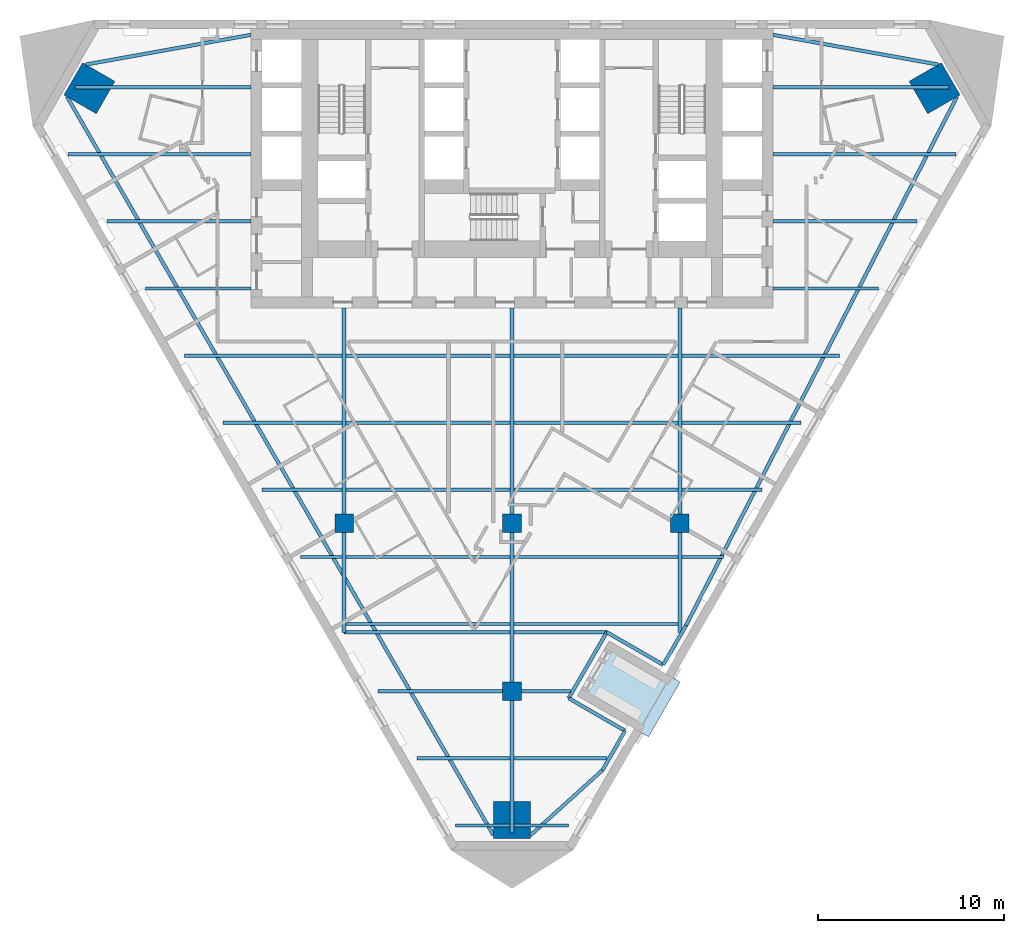
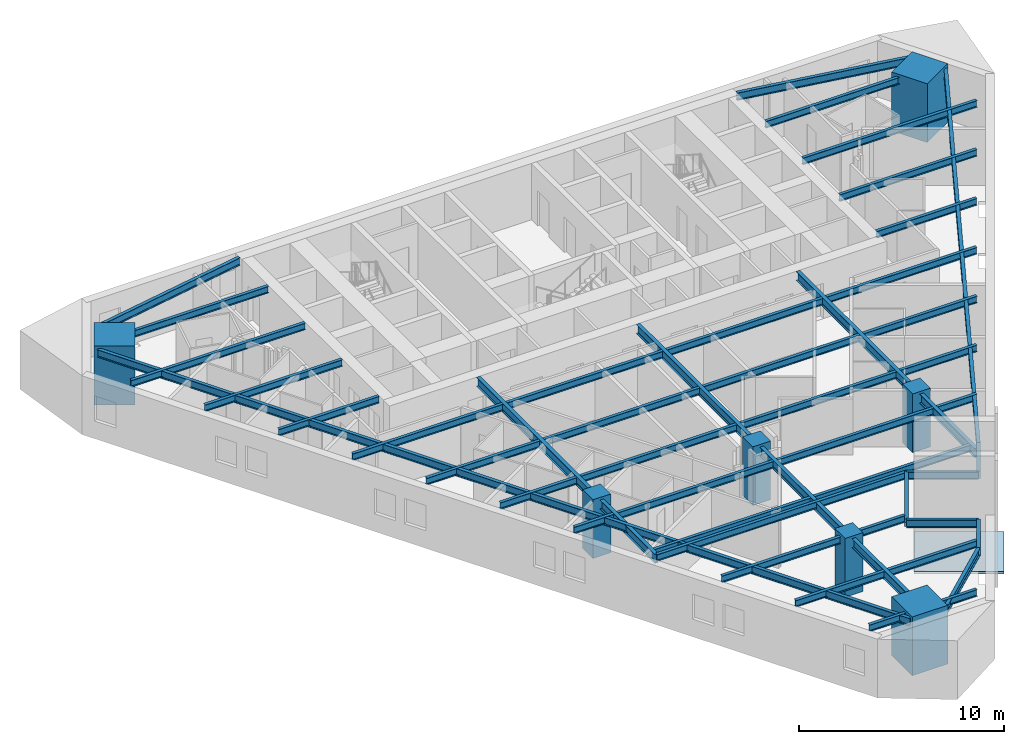
# One storey, part 1 of 11: 50 beams, 7 columns, 1 slab.
"""IFC4 building model written with IfcOpenShell, lengths in metres."""

import ifcopenshell
import ifcopenshell.guid

model = None  # the IFC model being written
_history = None  # IfcOwnerHistory: only IFC2X3 demands one
_inside = {}  # id of a spatial element -> (the spatial element, [elements in it])
_under = {}  # id of a project, library or spatial element -> (it, [spatial elements below it])
_declared = {}  # id of a project -> (the project, [libraries it declares])
_typed = {}  # id of a type object -> (the type object, [elements of that type])
_made_of = {}  # id of a material, layer set ... -> (it, [elements and type objects made of it])


def new_model(schema):
    """Start an empty IFC model of exactly this schema.

    Asked for "IFC4X3", IfcOpenShell would pick the latest addendum, in which some entities
    have other attributes; the version numbers below select the first issue.
    IFC2X3 requires an IfcOwnerHistory on every rooted entity: one is made here for all.
    """
    global model, _history
    if schema == "IFC4X3":
        model = ifcopenshell.file(schema_version=(4, 3, 0, 0))
    else:
        model = ifcopenshell.file(schema=schema)
    _inside.clear()
    _under.clear()
    _declared.clear()
    _typed.clear()
    _made_of.clear()
    _history = None
    if model.schema == "IFC2X3":
        org = make("IfcOrganization", Name="unknown")
        user = make(
            "IfcPersonAndOrganization",
            ThePerson=make("IfcPerson", FamilyName="unknown"),
            TheOrganization=org,
        )
        app = make(
            "IfcApplication",
            ApplicationDeveloper=org,
            Version="unknown",
            ApplicationFullName="unknown",
            ApplicationIdentifier="unknown",
        )
        _history = make(
            "IfcOwnerHistory",
            OwningUser=user,
            OwningApplication=app,
            ChangeAction="ADDED",
            CreationDate=0,
        )
    return model


def make(cls, **values):
    """One entity of the class cls with the attributes given. An attribute that is None is left unset."""
    return model.create_entity(
        cls, **{name: value for name, value in values.items() if value is not None}
    )


def rooted(cls, **values):
    """An entity with a GlobalId (a new one), such as an element, a storey or a relation."""
    return make(cls, GlobalId=ifcopenshell.guid.new(), OwnerHistory=_history, **values)


def si_unit(unit_type, name, prefix=None):
    """IfcSIUnit, for example si_unit("LENGTHUNIT", "METRE", prefix="MILLI")."""
    return make("IfcSIUnit", UnitType=unit_type, Prefix=prefix, Name=name)


def assignment(units):
    """IfcUnitAssignment: the units of a project."""
    return None if units is None else make("IfcUnitAssignment", Units=units)


def point(xyz):
    """IfcCartesianPoint."""
    return None if xyz is None else make("IfcCartesianPoint", Coordinates=xyz)


def direction(xyz):
    """IfcDirection."""
    return None if xyz is None else make("IfcDirection", DirectionRatios=xyz)


def frame(location, z_axis=None, x_axis=None):
    """IfcAxis2Placement3D, a coordinate frame: its origin and axes. An axis left out is left unset."""
    return make(
        "IfcAxis2Placement3D",
        Location=point(location),
        Axis=direction(z_axis),
        RefDirection=direction(x_axis),
    )


def frame_2d(location, x_axis=None):
    """IfcAxis2Placement2D, a coordinate frame in the plane: its origin and x axis."""
    return make(
        "IfcAxis2Placement2D", Location=point(location), RefDirection=direction(x_axis)
    )


def origin():
    """The frame at (0, 0, 0) with its axes left unset."""
    return frame((0.0, 0.0, 0.0))


def origin_2d():
    """The frame at (0, 0) in the plane with its x axis left unset."""
    return frame_2d((0.0, 0.0))


def place(relative_to, where):
    """IfcLocalPlacement: puts the frame where relative to a parent placement (None: the world)."""
    return make(
        "IfcLocalPlacement", PlacementRelTo=relative_to, RelativePlacement=where
    )


def context(
    kind, dimensions, precision=None, world=None, true_north=None, identifier=None
):
    """IfcGeometricRepresentationContext, for example the 3D "Model" context."""
    return make(
        "IfcGeometricRepresentationContext",
        ContextIdentifier=identifier,
        ContextType=kind,
        CoordinateSpaceDimension=dimensions,
        Precision=precision,
        WorldCoordinateSystem=world,
        TrueNorth=true_north,
    )


def subcontext(parent, identifier, kind, view, scale=None):
    """IfcGeometricRepresentationSubContext, for example "Body" below "Model"."""
    return make(
        "IfcGeometricRepresentationSubContext",
        ContextIdentifier=identifier,
        ContextType=kind,
        ParentContext=parent,
        TargetScale=scale,
        TargetView=view,
    )


def project(units=None, contexts=None):
    """IfcProject with its units and contexts."""
    return rooted(
        "IfcProject",
        Name="project",
        RepresentationContexts=contexts,
        UnitsInContext=assignment(units),
    )


def spatial(cls, under=None, at=None, **own):
    """A site, building, storey or space (cls), placed at a placement, below another one or the project."""
    s = rooted(cls, ObjectPlacement=at, **own)
    if under is not None:
        _under.setdefault(under.id(), (under, []))[1].append(s)
    return s


def polyline(points):
    """IfcPolyline through the points."""
    return make("IfcPolyline", Points=[point(p) for p in points])


def profile(cls, at=None, kind="AREA", **sizes):
    """A parametric profile (cls). Its sizes go by their IFC names, for example OverallWidth=200.0."""
    return make(cls, ProfileType=kind, Position=at, **sizes)


def rectangle(**sizes):
    """IfcRectangleProfileDef."""
    return profile("IfcRectangleProfileDef", **sizes)


def i_section(**sizes):
    """IfcIShapeProfileDef."""
    return profile("IfcIShapeProfileDef", **sizes)


def outline(outer, holes=None, kind="AREA"):
    """IfcArbitraryClosedProfileDef: a profile drawn as a closed curve; with holes, ...WithVoids."""
    if holes is None:
        return make("IfcArbitraryClosedProfileDef", ProfileType=kind, OuterCurve=outer)
    return make(
        "IfcArbitraryProfileDefWithVoids",
        ProfileType=kind,
        OuterCurve=outer,
        InnerCurves=holes,
    )


def extrude(swept, where, along, depth):
    """IfcExtrudedAreaSolid: the profile swept, set in the frame where, extruded along a direction by depth."""
    return make(
        "IfcExtrudedAreaSolid",
        SweptArea=swept,
        Position=where,
        ExtrudedDirection=direction(along),
        Depth=depth,
    )


def shape(context_of_items, identifier, shape_type, items):
    """IfcShapeRepresentation: the items that make up one representation, for example the "Body"."""
    return make(
        "IfcShapeRepresentation",
        ContextOfItems=context_of_items,
        RepresentationIdentifier=identifier,
        RepresentationType=shape_type,
        Items=items,
    )


def material(Name=None, Category=None):
    """IfcMaterial."""
    return make("IfcMaterial", Name=Name, Category=Category)


def layer(
    of_material, thickness, ventilated=None, Name=None, Category=None, Priority=None
):
    """IfcMaterialLayer: one layer of a wall or slab, of a material (None: an air gap)."""
    return make(
        "IfcMaterialLayer",
        Material=of_material,
        LayerThickness=thickness,
        IsVentilated=ventilated,
        Name=Name,
        Category=Category,
        Priority=Priority,
    )


def layer_set(layers, Name=None):
    """IfcMaterialLayerSet."""
    return make("IfcMaterialLayerSet", MaterialLayers=layers, LayerSetName=Name)


def material_profile(
    of_material, cross_section, Name=None, Category=None, Priority=None
):
    """IfcMaterialProfile: a cross section and its material."""
    return make(
        "IfcMaterialProfile",
        Name=Name,
        Material=of_material,
        Profile=cross_section,
        Priority=Priority,
        Category=Category,
    )


def profile_set(profiles, Name=None, composite=None):
    """IfcMaterialProfileSet."""
    return make(
        "IfcMaterialProfileSet",
        Name=Name,
        MaterialProfiles=profiles,
        CompositeProfile=composite,
    )


def made_of(thing, what):
    """Note that an element or type object is made of a material, layer set ...; save() writes the relation."""
    if what is not None:
        _made_of.setdefault(what.id(), (what, []))[1].append(thing)
    return thing


def type_object(cls, material=None, **own):
    """A type object (cls), such as IfcWallType, which elements share."""
    return made_of(rooted(cls, **own), material)


def element(
    cls,
    number,
    at=None,
    inside=None,
    cuts=None,
    type_object=None,
    material=None,
    context=None,
    identifier="Body",
    shape_type=None,
    held_by="IfcProductDefinitionShape",
    body=None,
    shapes=None,
    **own,
):
    """One element of the class cls, such as IfcWall. Its Tag is "e" and its number.

    at: its placement. inside: the storey or other place that contains it. cuts: it is an
    opening in that element (IfcRelVoidsElement). A single representation is given by context,
    identifier, shape_type and body (its items); several are given by shapes. held_by: the class
    of the entity that holds the representations. save() writes the other relations.
    """
    e = rooted(cls, Tag="e%d" % number, ObjectPlacement=at, **own)
    if body is not None:
        shapes = [shape(context, identifier, shape_type, body)]
    if shapes is not None:
        e.Representation = make(held_by, Representations=shapes)
    if inside is not None:
        _inside.setdefault(inside.id(), (inside, []))[1].append(e)
    if cuts is not None:
        rooted(
            "IfcRelVoidsElement", RelatingBuildingElement=cuts, RelatedOpeningElement=e
        )
    if type_object is not None:
        _typed.setdefault(type_object.id(), (type_object, []))[1].append(e)
    return made_of(e, material)


def aggregate(whole, parts):
    """IfcRelAggregates: a whole, such as a stair, and the parts it consists of."""
    return rooted("IfcRelAggregates", RelatingObject=whole, RelatedObjects=parts)


def save(model, path):
    """Write the relations noted so far, then the file.

    IfcRelAggregates (storeys below a building ...), IfcRelContainedInSpatialStructure (elements
    in a storey), IfcRelDefinesByType, IfcRelAssociatesMaterial and IfcRelDeclares: one each for
    every whole, place, type object, material and project.
    """
    for whole, parts in _under.values():
        aggregate(whole, parts)
    for where, things in _inside.values():
        rooted(
            "IfcRelContainedInSpatialStructure",
            RelatedElements=things,
            RelatingStructure=where,
        )
    for kind, things in _typed.values():
        rooted("IfcRelDefinesByType", RelatedObjects=things, RelatingType=kind)
    for what, things in _made_of.values():
        rooted("IfcRelAssociatesMaterial", RelatedObjects=things, RelatingMaterial=what)
    for by, libraries in _declared.values():
        rooted("IfcRelDeclares", RelatingContext=by, RelatedDefinitions=libraries)
    model.write(path)


model = new_model("IFC4")

# Units and contexts
model_context = context("Model", 3, precision=1e-05, world=origin(), true_north=direction((0.0, 1.0)))
body_context = subcontext(model_context, "Body", "Model", "MODEL_VIEW")
ifc_project = project(units=[si_unit("LENGTHUNIT", "METRE"), si_unit("AREAUNIT", "SQUARE_METRE"), si_unit("VOLUMEUNIT", "CUBIC_METRE"), si_unit("PLANEANGLEUNIT", "RADIAN"), si_unit("MASSUNIT", "GRAM", prefix="KILO")], contexts=[model_context])

# Site, building, storey
site_placement = place(None, origin())
site = spatial("IfcSite", under=ifc_project, at=site_placement, CompositionType="ELEMENT")
building_placement = place(site_placement, origin())
building = spatial("IfcBuilding", under=site, at=building_placement, Name="Aloe Facet Convention Tower", CompositionType="ELEMENT")
storey_placement = place(building_placement, frame((0.0, 0.0, 66.5)))
storey = spatial("IfcBuildingStorey", under=building, at=storey_placement, Name="L15", CompositionType="ELEMENT", Elevation=66.5)

# Columns
ifc_material_1 = material(Name="Concrete C70/85", Category="concrete")
ifc_material_profile_1 = material_profile(ifc_material_1, rectangle(XDim=1.0, YDim=1.0, at=origin_2d()), Name="SF-GC-Z1")
ifc_profile_set_1 = profile_set([ifc_material_profile_1], Name="Concrete C70/85")
column_type_1 = type_object("IfcColumnType", Name="SF-GC-Z1", PredefinedType="COLUMN", material=ifc_profile_set_1)
for number, where, z_axis, x_axis, name in (
    (1, (71.0, 108.0, 0.0), (0.0, 0.0, 1.0), (1.0, 0.0, 0.0), "Gravity column GC-Z1-8D"),
    (2, (80.0, 99.0, 0.0), (0.0, 0.0, 1.0), (1.0, 0.0, 0.0), "Gravity column GC-Z1-9E"),
    (3, (80.0, 108.0, 0.0), (0.0, 0.0, 1.0), (1.0, 0.0, 0.0), "Gravity column GC-Z1-9D"),
    (4, (89.0, 108.0, 0.0), (0.0, 0.0, 1.0), (1.0, 0.0, 0.0), "Gravity column GC-Z1-10D"),
):
    element("IfcColumn", number, at=place(storey_placement, frame(where, z_axis=z_axis, x_axis=x_axis)), inside=storey, type_object=column_type_1, Name=name, PredefinedType="COLUMN", context=body_context, shape_type="SweptSolid", body=[
        extrude(rectangle(XDim=1.0, YDim=1.0, at=origin_2d()), origin(), (0.0, 0.0, 1.0), 3.5),
    ])
ifc_material_2 = material(Name="Concrete C80/95", Category="concrete")
ifc_material_profile_2 = material_profile(ifc_material_2, rectangle(XDim=2.0, YDim=2.0, at=origin_2d()), Name="STW-MC-Z1")
ifc_profile_set_2 = profile_set([ifc_material_profile_2], Name="Concrete C80/95")
column_type_2 = type_object("IfcColumnType", Name="STW-MC-Z1", PredefinedType="COLUMN", material=ifc_profile_set_2)
for number, where, z_axis, x_axis, name in (
    (5, (102.664306640625, 131.342041015625, 0.0), (0.0, 0.0, 1.0), (-0.5, 0.866025403784, 0.0), "Mega-column MC-NE-L15"),
    (6, (57.335693359375, 131.342041015625, 0.0), (0.0, 0.0, 1.0), (-0.5, -0.866025403784, 0.0), "Mega-column MC-NW-L15"),
    (7, (80.0, 92.086181640625, 0.0), (0.0, 0.0, 1.0), (1.0, 0.0, 0.0), "Mega-column MC-S-L15"),
):
    element("IfcColumn", number, at=place(storey_placement, frame(where, z_axis=z_axis, x_axis=x_axis)), inside=storey, type_object=column_type_2, Name=name, PredefinedType="COLUMN", context=body_context, shape_type="SweptSolid", body=[
        extrude(rectangle(XDim=2.0, YDim=2.0, at=origin_2d()), origin(), (0.0, 0.0, 1.0), 3.5),
    ])

# Beams
ifc_material_3 = material(Name="Steel S355", Category="steel")
ifc_material_profile_3 = material_profile(ifc_material_3, i_section(OverallWidth=0.177734375, OverallDepth=0.402587890625, WebThickness=0.0078125, FlangeThickness=0.010986328125, FilletRadius=0.01025390625, at=origin_2d()), Name="UB 406x178x54")
ifc_profile_set_3 = profile_set([ifc_material_profile_3], Name="Steel S355")
beam_type_1 = type_object("IfcBeamType", Name="SF-B-UB406x178x54", PredefinedType="BEAM", material=ifc_profile_set_3)
beam_1_placement = place(storey_placement, frame((56.194580078125, 127.800048828125, 3.148681640625), z_axis=(1.0, 0.0, 0.0), x_axis=(0.0, 1.0, 0.0)))
element("IfcBeam", 8, at=beam_1_placement, inside=storey, type_object=beam_type_1, Name="Floor beam FB-Z1H-018", PredefinedType="BEAM", context=body_context, shape_type="SweptSolid", body=[
    extrude(i_section(OverallWidth=0.177734375, OverallDepth=0.402587890625, WebThickness=0.0078125, FlangeThickness=0.010986328125, FilletRadius=0.01025390625, at=origin_2d()), origin(), (0.0, 0.0, 1.0), 9.805419921875),
])
beam_2_placement = place(storey_placement, frame((56.55908203125, 131.39990234375, 3.148681640625), z_axis=(1.0, 0.0, 0.0), x_axis=(0.0, 1.0, 0.0)))
element("IfcBeam", 9, at=beam_2_placement, inside=storey, type_object=beam_type_1, Name="Floor beam FB-Z1H-019", PredefinedType="BEAM", context=body_context, shape_type="SweptSolid", body=[
    extrude(i_section(OverallWidth=0.177734375, OverallDepth=0.402587890625, WebThickness=0.0078125, FlangeThickness=0.010986328125, FilletRadius=0.01025390625, at=origin_2d()), origin(), (0.0, 0.0, 1.0), 9.44091796875),
])
beam_3_placement = place(storey_placement, frame((58.27294921875, 124.199951171875, 3.148681640625), z_axis=(1.0, 0.0, 0.0), x_axis=(0.0, 1.0, 0.0)))
element("IfcBeam", 10, at=beam_3_placement, inside=storey, type_object=beam_type_1, Name="Floor beam FB-Z1H-020", PredefinedType="BEAM", context=body_context, shape_type="SweptSolid", body=[
    extrude(i_section(OverallWidth=0.177734375, OverallDepth=0.402587890625, WebThickness=0.0078125, FlangeThickness=0.010986328125, FilletRadius=0.01025390625, at=origin_2d()), origin(), (0.0, 0.0, 1.0), 7.72705078125),
])
beam_4_placement = place(storey_placement, frame((60.351318359375, 120.60009765625, 3.148681640625), z_axis=(1.0, 0.0, 0.0), x_axis=(0.0, 1.0, 0.0)))
element("IfcBeam", 11, at=beam_4_placement, inside=storey, type_object=beam_type_1, Name="Floor beam FB-Z1H-021", PredefinedType="BEAM", context=body_context, shape_type="SweptSolid", body=[
    extrude(i_section(OverallWidth=0.177734375, OverallDepth=0.402587890625, WebThickness=0.0078125, FlangeThickness=0.010986328125, FilletRadius=0.01025390625, at=origin_2d()), origin(), (0.0, 0.0, 1.0), 5.648681640625),
])
beam_5_placement = place(storey_placement, frame((62.429931640625, 117.0, 3.148681640625), z_axis=(1.0, 0.0, 0.0), x_axis=(0.0, 1.0, 0.0)))
element("IfcBeam", 12, at=beam_5_placement, inside=storey, type_object=beam_type_1, Name="Floor beam FB-Z1H-022", PredefinedType="BEAM", context=body_context, shape_type="SweptSolid", body=[
    extrude(i_section(OverallWidth=0.177734375, OverallDepth=0.402587890625, WebThickness=0.0078125, FlangeThickness=0.010986328125, FilletRadius=0.01025390625, at=origin_2d()), origin(), (0.0, 0.0, 1.0), 8.464599609375),
])
beam_6_placement = place(storey_placement, frame((64.50830078125, 113.39990234375, 3.148681640625), z_axis=(1.0, 0.0, 0.0), x_axis=(0.0, 1.0, 0.0)))
element("IfcBeam", 13, at=beam_6_placement, inside=storey, type_object=beam_type_1, Name="Floor beam FB-Z1H-023", PredefinedType="BEAM", context=body_context, shape_type="SweptSolid", body=[
    extrude(i_section(OverallWidth=0.177734375, OverallDepth=0.402587890625, WebThickness=0.0078125, FlangeThickness=0.010986328125, FilletRadius=0.01025390625, at=origin_2d()), origin(), (0.0, 0.0, 1.0), 6.38623046875),
])
beam_7_placement = place(storey_placement, frame((66.5869140625, 109.800048828125, 3.148681640625), z_axis=(1.0, 0.0, 0.0), x_axis=(0.0, 1.0, 0.0)))
element("IfcBeam", 14, at=beam_7_placement, inside=storey, type_object=beam_type_1, Name="Floor beam FB-Z1H-024", PredefinedType="BEAM", context=body_context, shape_type="SweptSolid", body=[
    extrude(i_section(OverallWidth=0.177734375, OverallDepth=0.402587890625, WebThickness=0.0078125, FlangeThickness=0.010986328125, FilletRadius=0.01025390625, at=origin_2d()), origin(), (0.0, 0.0, 1.0), 4.3076171875),
])
beam_8_placement = place(storey_placement, frame((68.665283203125, 106.199951171875, 3.148681640625), z_axis=(1.0, 0.0, 0.0), x_axis=(0.0, 1.0, 0.0)))
element("IfcBeam", 15, at=beam_8_placement, inside=storey, type_object=beam_type_1, Name="Floor beam FB-Z1H-025", PredefinedType="BEAM", context=body_context, shape_type="SweptSolid", body=[
    extrude(i_section(OverallWidth=0.177734375, OverallDepth=0.402587890625, WebThickness=0.0078125, FlangeThickness=0.010986328125, FilletRadius=0.01025390625, at=origin_2d()), origin(), (0.0, 0.0, 1.0), 2.229248046875),
])
for number, where, z_axis, x_axis, name in (
    (16, (71.10546875, 102.60009765625, 3.148681640625), (1.0, 0.0, 0.0), (0.0, 1.0, 0.0), "Floor beam FB-Z1H-026"),
    (17, (71.10546875, 106.199951171875, 3.148681640625), (1.0, 0.0, 0.0), (0.0, 1.0, 0.0), "Floor beam FB-Z1H-027"),
    (18, (71.10546875, 109.800048828125, 3.148681640625), (1.0, 0.0, 0.0), (0.0, 1.0, 0.0), "Floor beam FB-Z1H-028"),
    (19, (71.10546875, 113.39990234375, 3.148681640625), (1.0, 0.0, 0.0), (0.0, 1.0, 0.0), "Floor beam FB-Z1H-029"),
    (20, (71.10546875, 117.0, 3.148681640625), (1.0, 0.0, 0.0), (0.0, 1.0, 0.0), "Floor beam FB-Z1H-030"),
):
    element("IfcBeam", number, at=place(storey_placement, frame(where, z_axis=z_axis, x_axis=x_axis)), inside=storey, type_object=beam_type_1, Name=name, PredefinedType="BEAM", context=body_context, shape_type="SweptSolid", body=[
        extrude(i_section(OverallWidth=0.177734375, OverallDepth=0.402587890625, WebThickness=0.0078125, FlangeThickness=0.010986328125, FilletRadius=0.01025390625, at=origin_2d()), origin(), (0.0, 0.0, 1.0), 8.7890625),
    ])
beam_9_placement = place(storey_placement, frame((72.822265625, 99.0, 3.148681640625), z_axis=(1.0, 0.0, 0.0), x_axis=(0.0, 1.0, 0.0)))
element("IfcBeam", 21, at=beam_9_placement, inside=storey, type_object=beam_type_1, Name="Floor beam FB-Z1H-031", PredefinedType="BEAM", context=body_context, shape_type="SweptSolid", body=[
    extrude(i_section(OverallWidth=0.177734375, OverallDepth=0.402587890625, WebThickness=0.0078125, FlangeThickness=0.010986328125, FilletRadius=0.01025390625, at=origin_2d()), origin(), (0.0, 0.0, 1.0), 6.677734375),
])
beam_10_placement = place(storey_placement, frame((74.900634765625, 95.39990234375, 3.148681640625), z_axis=(1.0, 0.0, 0.0), x_axis=(0.0, 1.0, 0.0)))
element("IfcBeam", 22, at=beam_10_placement, inside=storey, type_object=beam_type_1, Name="Floor beam FB-Z1H-032", PredefinedType="BEAM", context=body_context, shape_type="SweptSolid", body=[
    extrude(i_section(OverallWidth=0.177734375, OverallDepth=0.402587890625, WebThickness=0.0078125, FlangeThickness=0.010986328125, FilletRadius=0.01025390625, at=origin_2d()), origin(), (0.0, 0.0, 1.0), 4.993896484375),
])
for number, where, z_axis, x_axis, name in (
    (23, (76.97900390625, 91.800048828125, 3.148681640625), (1.0, 0.0, 0.0), (0.0, 1.0, 0.0), "Floor beam FB-Z1H-033"),
    (24, (80.10546875, 91.800048828125, 3.148681640625), (1.0, 0.0, 0.0), (0.0, 1.0, 0.0), "Floor beam FB-Z1H-034"),
):
    element("IfcBeam", number, at=place(storey_placement, frame(where, z_axis=z_axis, x_axis=x_axis)), inside=storey, type_object=beam_type_1, Name=name, PredefinedType="BEAM", context=body_context, shape_type="SweptSolid", body=[
        extrude(i_section(OverallWidth=0.177734375, OverallDepth=0.402587890625, WebThickness=0.0078125, FlangeThickness=0.010986328125, FilletRadius=0.01025390625, at=origin_2d()), origin(), (0.0, 0.0, 1.0), 2.91552734375),
    ])
beam_11_placement = place(storey_placement, frame((80.10546875, 95.39990234375, 3.148681640625), z_axis=(1.0, 0.0, 0.0), x_axis=(0.0, 1.0, 0.0)))
element("IfcBeam", 25, at=beam_11_placement, inside=storey, type_object=beam_type_1, Name="Floor beam FB-Z1H-035", PredefinedType="BEAM", context=body_context, shape_type="SweptSolid", body=[
    extrude(i_section(OverallWidth=0.177734375, OverallDepth=0.402587890625, WebThickness=0.0078125, FlangeThickness=0.010986328125, FilletRadius=0.01025390625, at=origin_2d()), origin(), (0.0, 0.0, 1.0), 4.993896484375),
])
for number, where, z_axis, x_axis, name in (
    (26, (80.10546875, 102.60009765625, 3.148681640625), (1.0, 0.0, 0.0), (0.0, 1.0, 0.0), "Floor beam FB-Z1H-036"),
    (27, (80.10546875, 106.199951171875, 3.148681640625), (1.0, 0.0, 0.0), (0.0, 1.0, 0.0), "Floor beam FB-Z1H-037"),
    (28, (80.10546875, 109.800048828125, 3.148681640625), (1.0, 0.0, 0.0), (0.0, 1.0, 0.0), "Floor beam FB-Z1H-038"),
    (29, (80.10546875, 113.39990234375, 3.148681640625), (1.0, 0.0, 0.0), (0.0, 1.0, 0.0), "Floor beam FB-Z1H-039"),
    (30, (80.10546875, 117.0, 3.148681640625), (1.0, 0.0, 0.0), (0.0, 1.0, 0.0), "Floor beam FB-Z1H-040"),
):
    element("IfcBeam", number, at=place(storey_placement, frame(where, z_axis=z_axis, x_axis=x_axis)), inside=storey, type_object=beam_type_1, Name=name, PredefinedType="BEAM", context=body_context, shape_type="SweptSolid", body=[
        extrude(i_section(OverallWidth=0.177734375, OverallDepth=0.402587890625, WebThickness=0.0078125, FlangeThickness=0.010986328125, FilletRadius=0.01025390625, at=origin_2d()), origin(), (0.0, 0.0, 1.0), 8.7890625),
    ])
beam_12_placement = place(storey_placement, frame((80.5, 99.0, 3.148681640625), z_axis=(1.0, 0.0, 0.0), x_axis=(0.0, 1.0, 0.0)))
element("IfcBeam", 31, at=beam_12_placement, inside=storey, type_object=beam_type_1, Name="Floor beam FB-Z1H-041", PredefinedType="BEAM", context=body_context, shape_type="SweptSolid", body=[
    extrude(i_section(OverallWidth=0.177734375, OverallDepth=0.402587890625, WebThickness=0.0078125, FlangeThickness=0.010986328125, FilletRadius=0.01025390625, at=origin_2d()), origin(), (0.0, 0.0, 1.0), 2.636474609375),
])
beam_13_placement = place(storey_placement, frame((85.0830078125, 102.164306640625, 3.148681640625), z_axis=(-1.0, 0.0, 0.0), x_axis=(0.0, -1.0, 0.0)))
element("IfcBeam", 32, at=beam_13_placement, inside=storey, type_object=beam_type_1, Name="Floor beam FB-Z1H-042", PredefinedType="BEAM", context=body_context, shape_type="SweptSolid", body=[
    extrude(i_section(OverallWidth=0.177734375, OverallDepth=0.402587890625, WebThickness=0.0078125, FlangeThickness=0.010986328125, FilletRadius=0.01025390625, at=origin_2d()), origin(), (0.0, 0.0, 1.0), 14.0830078125),
])
beam_14_placement = place(storey_placement, frame((89.10546875, 106.199951171875, 3.148681640625), z_axis=(1.0, 0.0, 0.0), x_axis=(0.0, 1.0, 0.0)))
element("IfcBeam", 33, at=beam_14_placement, inside=storey, type_object=beam_type_1, Name="Floor beam FB-Z1H-043", PredefinedType="BEAM", context=body_context, shape_type="SweptSolid", body=[
    extrude(i_section(OverallWidth=0.177734375, OverallDepth=0.402587890625, WebThickness=0.0078125, FlangeThickness=0.010986328125, FilletRadius=0.01025390625, at=origin_2d()), origin(), (0.0, 0.0, 1.0), 2.229248046875),
])
beam_15_placement = place(storey_placement, frame((89.10546875, 109.800048828125, 3.148681640625), z_axis=(1.0, 0.0, 0.0), x_axis=(0.0, 1.0, 0.0)))
element("IfcBeam", 34, at=beam_15_placement, inside=storey, type_object=beam_type_1, Name="Floor beam FB-Z1H-044", PredefinedType="BEAM", context=body_context, shape_type="SweptSolid", body=[
    extrude(i_section(OverallWidth=0.177734375, OverallDepth=0.402587890625, WebThickness=0.0078125, FlangeThickness=0.010986328125, FilletRadius=0.01025390625, at=origin_2d()), origin(), (0.0, 0.0, 1.0), 4.3076171875),
])
beam_16_placement = place(storey_placement, frame((89.10546875, 113.39990234375, 3.148681640625), z_axis=(1.0, 0.0, 0.0), x_axis=(0.0, 1.0, 0.0)))
element("IfcBeam", 35, at=beam_16_placement, inside=storey, type_object=beam_type_1, Name="Floor beam FB-Z1H-045", PredefinedType="BEAM", context=body_context, shape_type="SweptSolid", body=[
    extrude(i_section(OverallWidth=0.177734375, OverallDepth=0.402587890625, WebThickness=0.0078125, FlangeThickness=0.010986328125, FilletRadius=0.01025390625, at=origin_2d()), origin(), (0.0, 0.0, 1.0), 6.38623046875),
])
beam_17_placement = place(storey_placement, frame((89.10546875, 117.0, 3.148681640625), z_axis=(1.0, 0.0, 0.0), x_axis=(0.0, 1.0, 0.0)))
element("IfcBeam", 36, at=beam_17_placement, inside=storey, type_object=beam_type_1, Name="Floor beam FB-Z1H-046", PredefinedType="BEAM", context=body_context, shape_type="SweptSolid", body=[
    extrude(i_section(OverallWidth=0.177734375, OverallDepth=0.402587890625, WebThickness=0.0078125, FlangeThickness=0.010986328125, FilletRadius=0.01025390625, at=origin_2d()), origin(), (0.0, 0.0, 1.0), 8.464599609375),
])
beam_18_placement = place(storey_placement, frame((94.0, 120.60009765625, 3.148681640625), z_axis=(1.0, 0.0, 0.0), x_axis=(0.0, 1.0, 0.0)))
element("IfcBeam", 37, at=beam_18_placement, inside=storey, type_object=beam_type_1, Name="Floor beam FB-Z1H-047", PredefinedType="BEAM", context=body_context, shape_type="SweptSolid", body=[
    extrude(i_section(OverallWidth=0.177734375, OverallDepth=0.402587890625, WebThickness=0.0078125, FlangeThickness=0.010986328125, FilletRadius=0.01025390625, at=origin_2d()), origin(), (0.0, 0.0, 1.0), 5.648681640625),
])
beam_19_placement = place(storey_placement, frame((94.0, 124.199951171875, 3.148681640625), z_axis=(1.0, 0.0, 0.0), x_axis=(0.0, 1.0, 0.0)))
element("IfcBeam", 38, at=beam_19_placement, inside=storey, type_object=beam_type_1, Name="Floor beam FB-Z1H-048", PredefinedType="BEAM", context=body_context, shape_type="SweptSolid", body=[
    extrude(i_section(OverallWidth=0.177734375, OverallDepth=0.402587890625, WebThickness=0.0078125, FlangeThickness=0.010986328125, FilletRadius=0.01025390625, at=origin_2d()), origin(), (0.0, 0.0, 1.0), 7.72705078125),
])
beam_20_placement = place(storey_placement, frame((94.0, 127.800048828125, 3.148681640625), z_axis=(1.0, 0.0, 0.0), x_axis=(0.0, 1.0, 0.0)))
element("IfcBeam", 39, at=beam_20_placement, inside=storey, type_object=beam_type_1, Name="Floor beam FB-Z1H-049", PredefinedType="BEAM", context=body_context, shape_type="SweptSolid", body=[
    extrude(i_section(OverallWidth=0.177734375, OverallDepth=0.402587890625, WebThickness=0.0078125, FlangeThickness=0.010986328125, FilletRadius=0.01025390625, at=origin_2d()), origin(), (0.0, 0.0, 1.0), 9.805419921875),
])
beam_21_placement = place(storey_placement, frame((94.0, 131.39990234375, 3.148681640625), z_axis=(1.0, 0.0, 0.0), x_axis=(0.0, 1.0, 0.0)))
element("IfcBeam", 40, at=beam_21_placement, inside=storey, type_object=beam_type_1, Name="Floor beam FB-Z1H-050", PredefinedType="BEAM", context=body_context, shape_type="SweptSolid", body=[
    extrude(i_section(OverallWidth=0.177734375, OverallDepth=0.402587890625, WebThickness=0.0078125, FlangeThickness=0.010986328125, FilletRadius=0.01025390625, at=origin_2d()), origin(), (0.0, 0.0, 1.0), 9.44091796875),
])
ifc_material_4 = material(Name="Steel S355", Category="steel")
ifc_material_profile_4 = material_profile(ifc_material_4, i_section(OverallWidth=0.18994140625, OverallDepth=0.453369140625, WebThickness=0.008544921875, FlangeThickness=0.0126953125, FilletRadius=0.01025390625, at=origin_2d()), Name="UB 457x191x67")
ifc_profile_set_4 = profile_set([ifc_material_profile_4], Name="Steel S355")
beam_type_2 = type_object("IfcBeamType", Name="SF-B-UB457x191x67", PredefinedType="BEAM", material=ifc_profile_set_4)
beam_22_placement = place(storey_placement, frame((66.0, 134.205078125, 3.123291015625), z_axis=(-0.984194951593, -0.177088388265, 0.0), x_axis=(0.177088388265, -0.984194951593, 0.0)))
element("IfcBeam", 41, at=beam_22_placement, inside=storey, type_object=beam_type_2, Name="Floor beam FB-Z1H-001", PredefinedType="BEAM", context=body_context, shape_type="SweptSolid", body=[
    extrude(i_section(OverallWidth=0.18994140625, OverallDepth=0.453369140625, WebThickness=0.008544921875, FlangeThickness=0.0126953125, FilletRadius=0.01025390625, at=origin_2d()), origin(), (0.0, 0.0, 1.0), 9.00390625),
])
beam_23_placement = place(storey_placement, frame((79.0, 91.28125, 3.123291015625), z_axis=(-0.499999929878, 0.866025444269, 0.0), x_axis=(-0.866025444269, -0.499999929878, 0.0)))
element("IfcBeam", 42, at=beam_23_placement, inside=storey, type_object=beam_type_2, Name="Floor beam FB-Z1H-002", PredefinedType="BEAM", context=body_context, shape_type="SweptSolid", body=[
    extrude(i_section(OverallWidth=0.18994140625, OverallDepth=0.453369140625, WebThickness=0.008544921875, FlangeThickness=0.0126953125, FilletRadius=0.01025390625, at=origin_2d()), origin(), (0.0, 0.0, 1.0), 45.72314453125),
])
beam_24_placement = place(storey_placement, frame((81.0, 91.28125, 3.123291015625), z_axis=(0.741758517562, 0.670667057208, 0.0), x_axis=(-0.670667057208, 0.741758517562, 0.0)))
element("IfcBeam", 43, at=beam_24_placement, inside=storey, type_object=beam_type_2, Name="Floor beam FB-Z1H-003", PredefinedType="BEAM", context=body_context, shape_type="SweptSolid", body=[
    extrude(i_section(OverallWidth=0.18994140625, OverallDepth=0.453369140625, WebThickness=0.008544921875, FlangeThickness=0.0126953125, FilletRadius=0.01025390625, at=origin_2d()), origin(), (0.0, 0.0, 1.0), 5.1923828125),
])
beam_25_placement = place(storey_placement, frame((83.0380859375, 98.622314453125, 3.123291015625), z_axis=(0.866019471182, -0.500010275428, 0.0), x_axis=(0.500010275428, 0.866019471182, 0.0)))
element("IfcBeam", 44, at=beam_25_placement, inside=storey, type_object=beam_type_2, Name="Floor beam FB-Z1H-004", PredefinedType="BEAM", context=body_context, shape_type="SweptSolid", body=[
    extrude(i_section(OverallWidth=0.18994140625, OverallDepth=0.453369140625, WebThickness=0.008544921875, FlangeThickness=0.0126953125, FilletRadius=0.01025390625, at=origin_2d()), origin(), (0.0, 0.0, 1.0), 3.5),
])
beam_26_placement = place(storey_placement, frame((85.0830078125, 102.164306640625, 3.123291015625), z_axis=(-0.499991148707, -0.866030514021, 0.0), x_axis=(0.866030514021, -0.499991148707, 0.0)))
element("IfcBeam", 45, at=beam_26_placement, inside=storey, type_object=beam_type_2, Name="Floor beam FB-Z1H-005", PredefinedType="BEAM", context=body_context, shape_type="SweptSolid", body=[
    extrude(i_section(OverallWidth=0.18994140625, OverallDepth=0.453369140625, WebThickness=0.008544921875, FlangeThickness=0.0126953125, FilletRadius=0.01025390625, at=origin_2d()), origin(), (0.0, 0.0, 1.0), 4.08984375),
])
beam_27_placement = place(storey_placement, frame((86.069091796875, 96.872314453125, 3.123291015625), z_axis=(-0.500032014317, -0.866006919521, 0.0), x_axis=(0.866006919521, -0.500032014317, 0.0)))
element("IfcBeam", 46, at=beam_27_placement, inside=storey, type_object=beam_type_2, Name="Floor beam FB-Z1H-006", PredefinedType="BEAM", context=body_context, shape_type="SweptSolid", body=[
    extrude(i_section(OverallWidth=0.18994140625, OverallDepth=0.453369140625, WebThickness=0.008544921875, FlangeThickness=0.0126953125, FilletRadius=0.01025390625, at=origin_2d()), origin(), (0.0, 0.0, 1.0), 2.434814453125),
])
beam_28_placement = place(storey_placement, frame((88.114013671875, 100.414306640625, 3.123291015625), z_axis=(-0.866019471182, 0.500010275428, 0.0), x_axis=(-0.500010275428, -0.866019471182, 0.0)))
element("IfcBeam", 47, at=beam_28_placement, inside=storey, type_object=beam_type_2, Name="Floor beam FB-Z1H-007", PredefinedType="BEAM", context=body_context, shape_type="SweptSolid", body=[
    extrude(i_section(OverallWidth=0.18994140625, OverallDepth=0.453369140625, WebThickness=0.008544921875, FlangeThickness=0.0126953125, FilletRadius=0.01025390625, at=origin_2d()), origin(), (0.0, 0.0, 1.0), 3.5),
])
beam_29_placement = place(storey_placement, frame((89.33154296875, 102.523193359375, 3.123291015625), z_axis=(-0.499988598678, -0.866031986241, 0.0), x_axis=(0.866031986241, -0.499988598678, 0.0)))
element("IfcBeam", 48, at=beam_29_placement, inside=storey, type_object=beam_type_2, Name="Floor beam FB-Z1H-008", PredefinedType="BEAM", context=body_context, shape_type="SweptSolid", body=[
    extrude(i_section(OverallWidth=0.18994140625, OverallDepth=0.453369140625, WebThickness=0.008544921875, FlangeThickness=0.0126953125, FilletRadius=0.01025390625, at=origin_2d()), origin(), (0.0, 0.0, 1.0), 2.43505859375),
])
beam_30_placement = place(storey_placement, frame((89.33154296875, 102.523193359375, 3.123291015625), z_axis=(0.456037386364, 0.889960618364, 0.0), x_axis=(-0.889960618364, 0.456037386364, 0.0)))
element("IfcBeam", 49, at=beam_30_placement, inside=storey, type_object=beam_type_2, Name="Floor beam FB-Z1H-009", PredefinedType="BEAM", context=body_context, shape_type="SweptSolid", body=[
    extrude(i_section(OverallWidth=0.18994140625, OverallDepth=0.453369140625, WebThickness=0.008544921875, FlangeThickness=0.0126953125, FilletRadius=0.01025390625, at=origin_2d()), origin(), (0.0, 0.0, 1.0), 31.861572265625),
])
beam_31_placement = place(storey_placement, frame((94.0, 134.205078125, 3.123291015625), z_axis=(0.984194951593, -0.177088388265, 0.0), x_axis=(0.177088388265, 0.984194951593, 0.0)))
element("IfcBeam", 50, at=beam_31_placement, inside=storey, type_object=beam_type_2, Name="Floor beam FB-Z1H-010", PredefinedType="BEAM", context=body_context, shape_type="SweptSolid", body=[
    extrude(i_section(OverallWidth=0.18994140625, OverallDepth=0.453369140625, WebThickness=0.008544921875, FlangeThickness=0.0126953125, FilletRadius=0.01025390625, at=origin_2d()), origin(), (0.0, 0.0, 1.0), 9.00390625),
])
ifc_material_5 = material(Name="Steel S355", Category="steel")
ifc_material_profile_5 = material_profile(ifc_material_5, i_section(OverallWidth=0.210693359375, OverallDepth=0.53955078125, WebThickness=0.01171875, FlangeThickness=0.018798828125, FilletRadius=0.0126953125, at=origin_2d()), Name="UB 533x210x109")
ifc_profile_set_5 = profile_set([ifc_material_profile_5], Name="Steel S355")
beam_type_3 = type_object("IfcBeamType", Name="SF-B-UB533x210x109", PredefinedType="BEAM", material=ifc_profile_set_5)
beam_32_placement = place(storey_placement, frame((71.0, 107.5, 3.080078125), z_axis=(0.0, -1.0, 0.0), x_axis=(1.0, 0.0, 0.0)))
element("IfcBeam", 51, at=beam_32_placement, inside=storey, type_object=beam_type_3, Name="Floor beam FB-Z1H-011", PredefinedType="BEAM", context=body_context, shape_type="SweptSolid", body=[
    extrude(i_section(OverallWidth=0.210693359375, OverallDepth=0.53955078125, WebThickness=0.01171875, FlangeThickness=0.018798828125, FilletRadius=0.0126953125, at=origin_2d()), origin(), (0.0, 0.0, 1.0), 5.351318359375),
])
beam_33_placement = place(storey_placement, frame((71.0, 119.550048828125, 3.080078125), z_axis=(0.0, -1.0, 0.0), x_axis=(1.0, 0.0, 0.0)))
element("IfcBeam", 52, at=beam_33_placement, inside=storey, type_object=beam_type_3, Name="Floor beam FB-Z1H-012", PredefinedType="BEAM", context=body_context, shape_type="SweptSolid", body=[
    extrude(i_section(OverallWidth=0.210693359375, OverallDepth=0.53955078125, WebThickness=0.01171875, FlangeThickness=0.018798828125, FilletRadius=0.0126953125, at=origin_2d()), origin(), (0.0, 0.0, 1.0), 11.050048828125),
])
beam_34_placement = place(storey_placement, frame((80.0, 98.5, 3.080078125), z_axis=(0.0, -1.0, 0.0), x_axis=(1.0, 0.0, 0.0)))
element("IfcBeam", 53, at=beam_34_placement, inside=storey, type_object=beam_type_3, Name="Floor beam FB-Z1H-013", PredefinedType="BEAM", context=body_context, shape_type="SweptSolid", body=[
    extrude(i_section(OverallWidth=0.210693359375, OverallDepth=0.53955078125, WebThickness=0.01171875, FlangeThickness=0.018798828125, FilletRadius=0.0126953125, at=origin_2d()), origin(), (0.0, 0.0, 1.0), 7.11376953125),
])
beam_35_placement = place(storey_placement, frame((80.0, 107.5, 3.080078125), z_axis=(0.0, -1.0, 0.0), x_axis=(1.0, 0.0, 0.0)))
element("IfcBeam", 54, at=beam_35_placement, inside=storey, type_object=beam_type_3, Name="Floor beam FB-Z1H-014", PredefinedType="BEAM", context=body_context, shape_type="SweptSolid", body=[
    extrude(i_section(OverallWidth=0.210693359375, OverallDepth=0.53955078125, WebThickness=0.01171875, FlangeThickness=0.018798828125, FilletRadius=0.0126953125, at=origin_2d()), origin(), (0.0, 0.0, 1.0), 8.0),
])
beam_36_placement = place(storey_placement, frame((80.0, 119.550048828125, 3.080078125), z_axis=(0.0, -1.0, 0.0), x_axis=(1.0, 0.0, 0.0)))
element("IfcBeam", 55, at=beam_36_placement, inside=storey, type_object=beam_type_3, Name="Floor beam FB-Z1H-015", PredefinedType="BEAM", context=body_context, shape_type="SweptSolid", body=[
    extrude(i_section(OverallWidth=0.210693359375, OverallDepth=0.53955078125, WebThickness=0.01171875, FlangeThickness=0.018798828125, FilletRadius=0.0126953125, at=origin_2d()), origin(), (0.0, 0.0, 1.0), 11.050048828125),
])
beam_37_placement = place(storey_placement, frame((89.0, 107.5, 3.080078125), z_axis=(0.0, -1.0, 0.0), x_axis=(1.0, 0.0, 0.0)))
element("IfcBeam", 56, at=beam_37_placement, inside=storey, type_object=beam_type_3, Name="Floor beam FB-Z1H-016", PredefinedType="BEAM", context=body_context, shape_type="SweptSolid", body=[
    extrude(i_section(OverallWidth=0.210693359375, OverallDepth=0.53955078125, WebThickness=0.01171875, FlangeThickness=0.018798828125, FilletRadius=0.0126953125, at=origin_2d()), origin(), (0.0, 0.0, 1.0), 5.351318359375),
])
beam_38_placement = place(storey_placement, frame((89.0, 119.550048828125, 3.080078125), z_axis=(0.0, -1.0, 0.0), x_axis=(1.0, 0.0, 0.0)))
element("IfcBeam", 57, at=beam_38_placement, inside=storey, type_object=beam_type_3, Name="Floor beam FB-Z1H-017", PredefinedType="BEAM", context=body_context, shape_type="SweptSolid", body=[
    extrude(i_section(OverallWidth=0.210693359375, OverallDepth=0.53955078125, WebThickness=0.01171875, FlangeThickness=0.018798828125, FilletRadius=0.0126953125, at=origin_2d()), origin(), (0.0, 0.0, 1.0), 11.050048828125),
])

# Slab
ifc_material_6 = material(Name="Concrete C35/45", Category="concrete")
ifc_layer = layer(ifc_material_6, 0.14990234375)
ifc_layer_set = layer_set([ifc_layer], Name="SF-TS-150")
slab_type = type_object("IfcSlabType", Name="SF-TS-150", PredefinedType="FLOOR", material=ifc_layer_set)
slab_placement = place(storey_placement, frame((0.0, 0.0, -0.14990234375)))
element("IfcSlab", 58, at=slab_placement, inside=storey, type_object=slab_type, Name="Terrace slab T03", PredefinedType="FLOOR", context=body_context, shape_type="SweptSolid", body=[
    extrude(outline(polyline([(87.319580078125, 96.548583984375), (83.50927734375, 98.74853515625), (85.209228515625, 101.693115234375), (89.019775390625, 99.4931640625), (87.319580078125, 96.548583984375)])), origin(), (0.0, 0.0, 1.0), 0.14990234375),
])

save(model, "model.ifc")
